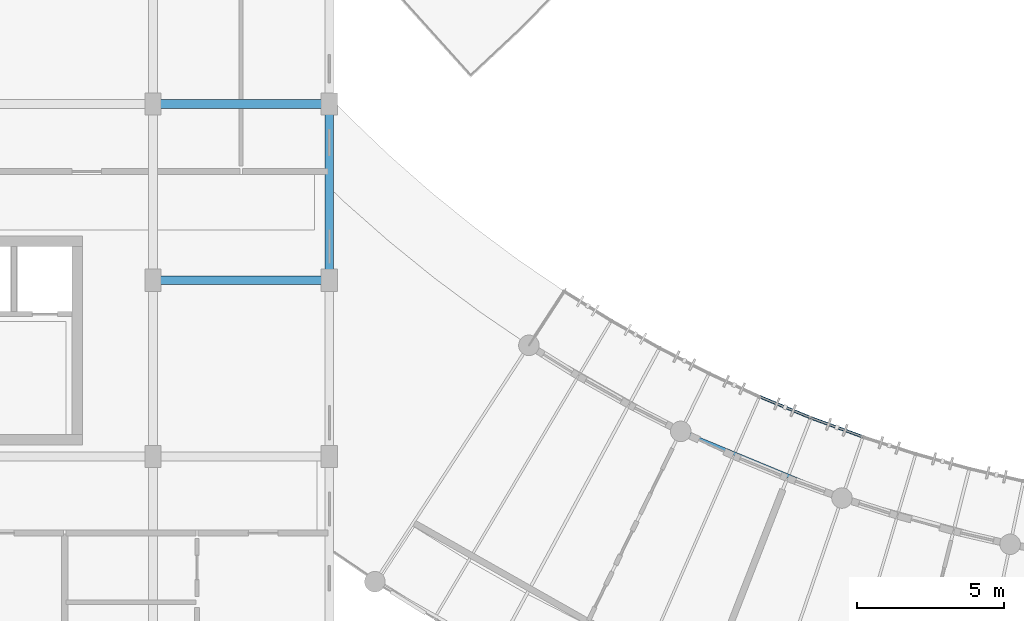
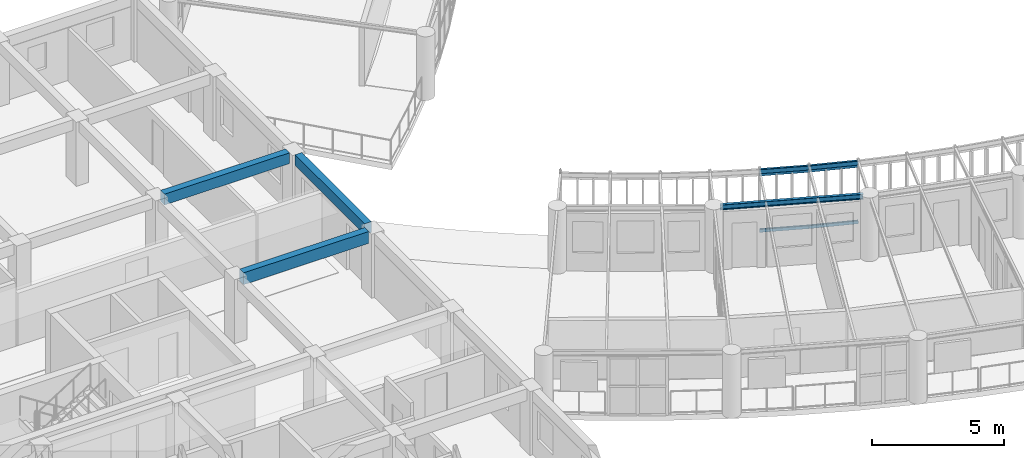
# One storey, part 7 of 123: 6 beams, 4 members.
"""IFC4 building model written with IfcOpenShell, lengths in metres."""

from ifc_helpers import new_model, si_unit, direction, frame, origin, origin_2d, place, context, subcontext, project, spatial, rectangle, hollow_rectangle, i_section, extrude, material, material_profile, profile_set, type_object, element, save


model = new_model("IFC4")

# Units and contexts
model_context = context("Model", 3, precision=1e-05, world=origin(), true_north=direction((0.0, 1.0)))
body_context = subcontext(model_context, "Body", "Model", "MODEL_VIEW")
ifc_project = project(units=[si_unit("LENGTHUNIT", "METRE"), si_unit("AREAUNIT", "SQUARE_METRE"), si_unit("VOLUMEUNIT", "CUBIC_METRE"), si_unit("PLANEANGLEUNIT", "RADIAN"), si_unit("MASSUNIT", "GRAM", prefix="KILO"), si_unit("POWERUNIT", "WATT"), si_unit("THERMODYNAMICTEMPERATUREUNIT", "KELVIN")], contexts=[model_context])

# Site, building, storey
site_placement = place(None, origin())
site = spatial("IfcSite", under=ifc_project, at=site_placement, CompositionType="ELEMENT")
building_placement = place(site_placement, origin())
building = spatial("IfcBuilding", under=site, at=building_placement, Name="Ruvembo Vaulted Housing Court", CompositionType="ELEMENT")
storey_placement = place(building_placement, frame((0.0, 0.0, 7.699951171875)))
storey = spatial("IfcBuildingStorey", under=building, at=storey_placement, Name="L02", CompositionType="ELEMENT", Elevation=7.699951171875)

# Beams
ifc_material_1 = material(Name="Concrete C35/45", Category="concrete")
ifc_material_profile_1 = material_profile(ifc_material_1, rectangle(XDim=0.300048828125, YDim=0.550048828125, at=origin_2d()), Name="RC 300x550")
ifc_profile_set_1 = profile_set([ifc_material_profile_1], Name="Concrete C35/45")
beam_type_1 = type_object("IfcBeamType", Name="BM-RC-300x550", PredefinedType="BEAM", material=ifc_profile_set_1)
beam_1_placement = place(storey_placement, frame((30.260009765625, 24.0, 2.679931640625), z_axis=(1.0, 0.0, 0.0), x_axis=(0.0, 1.0, 0.0)))
element("IfcBeam", 1, at=beam_1_placement, inside=storey, type_object=beam_type_1, Name="L02 Grid Beam X #1458", PredefinedType="BEAM", context=body_context, shape_type="SweptSolid", body=[
    extrude(rectangle(XDim=0.300048828125, YDim=0.550048828125, at=origin_2d()), origin(), (0.0, 0.0, 1.0), 5.47998046875),
])
ifc_material_2 = material(Name="Steel S355J2", Category="steel")
ifc_material_profile_2 = material_profile(ifc_material_2, i_section(OverallWidth=0.1201171875, OverallDepth=0.239990234375, WebThickness=0.006103515625, FlangeThickness=0.009765625, FilletRadius=0.014892578125, at=origin_2d()), Name="IPE 240")
ifc_profile_set_2 = profile_set([ifc_material_profile_2], Name="Steel S355J2")
beam_type_2 = type_object("IfcBeamType", Name="BM-ST-IPE240", PredefinedType="BEAM", material=ifc_profile_set_2)
beam_2_placement = place(storey_placement, frame((48.1708984375, 18.77001953125, 2.822021484375), z_axis=(0.924179679045, -0.381958009264, 0.0), x_axis=(0.381958009264, 0.924179679045, 0.0)))
element("IfcBeam", 2, at=beam_2_placement, inside=storey, type_object=beam_type_2, Name="Scoop SC2 L02 Chord Girder F3", PredefinedType="BEAM", context=body_context, shape_type="SweptSolid", body=[
    extrude(i_section(OverallWidth=0.1201171875, OverallDepth=0.239990234375, WebThickness=0.006103515625, FlangeThickness=0.009765625, FilletRadius=0.014892578125, at=origin_2d()), origin(), (0.0, 0.0, 1.0), 5.4765625),
])
ifc_material_profile_3 = material_profile(ifc_material_2, hollow_rectangle(XDim=0.10009765625, YDim=0.199951171875, WallThickness=0.008056640625, InnerFilletRadius=0.008056640625, OuterFilletRadius=0.01611328125, at=origin_2d()), Name="RHS 200x100x8")
ifc_profile_set_3 = profile_set([ifc_material_profile_3], Name="Steel S355J2")
beam_type_3 = type_object("IfcBeamType", Name="BM-ST-RHS200", PredefinedType="SPANDREL", material=ifc_profile_set_3)
beam_3_placement = place(storey_placement, frame((50.637451171875, 20.042236328125, 2.840087890625), z_axis=(0.924155321549, -0.38201693896, 0.0), x_axis=(0.38201693896, 0.924155321549, 0.0)))
element("IfcBeam", 3, at=beam_3_placement, inside=storey, type_object=beam_type_3, Name="Scoop SC2 L02 Balcony Edge Spandrel 4", PredefinedType="SPANDREL", context=body_context, shape_type="SweptSolid", body=[
    extrude(hollow_rectangle(XDim=0.10009765625, YDim=0.199951171875, WallThickness=0.008056640625, InnerFilletRadius=0.008056640625, OuterFilletRadius=0.01611328125, at=origin_2d()), origin(), (0.0, 0.0, 1.0), 1.88916015625),
])
beam_4_placement = place(storey_placement, frame((52.38330078125, 19.320556640625, 2.840087890625), z_axis=(0.939165556371, -0.343464783824, 0.0), x_axis=(0.343464783824, 0.939165556371, 0.0)))
element("IfcBeam", 4, at=beam_4_placement, inside=storey, type_object=beam_type_3, Name="Scoop SC2 L02 Balcony Edge Spandrel 5", PredefinedType="SPANDREL", context=body_context, shape_type="SweptSolid", body=[
    extrude(hollow_rectangle(XDim=0.10009765625, YDim=0.199951171875, WallThickness=0.008056640625, InnerFilletRadius=0.008056640625, OuterFilletRadius=0.01611328125, at=origin_2d()), origin(), (0.0, 0.0, 1.0), 1.889404296875),
])

# Members
ifc_material_profile_4 = material_profile(ifc_material_2, hollow_rectangle(XDim=0.06005859375, YDim=0.1201171875, WallThickness=0.0048828125, InnerFilletRadius=0.0048828125, OuterFilletRadius=0.010009765625, at=origin_2d()), Name="RHS 120x60x5")
ifc_profile_set_4 = profile_set([ifc_material_profile_4], Name="Steel S355J2")
member_type_1 = type_object("IfcMemberType", Name="MEM-CAR-RHS120", PredefinedType="CHORD", material=ifc_profile_set_4)
member_1_placement = place(storey_placement, frame((50.637451171875, 20.042236328125, 2.68310546875), z_axis=(0.924155321549, -0.38201693896, 0.0), x_axis=(0.38201693896, 0.924155321549, 0.0)))
element("IfcMember", 5, at=member_1_placement, inside=storey, type_object=member_type_1, Name="Scoop SC2 L02 Upper Louvre Carrier Rail 4", PredefinedType="CHORD", context=body_context, shape_type="SweptSolid", body=[
    extrude(hollow_rectangle(XDim=0.06005859375, YDim=0.1201171875, WallThickness=0.0048828125, InnerFilletRadius=0.0048828125, OuterFilletRadius=0.010009765625, at=origin_2d()), origin(), (0.0, 0.0, 1.0), 1.88916015625),
])
member_2_placement = place(storey_placement, frame((52.38330078125, 19.320556640625, 2.68310546875), z_axis=(0.939165556371, -0.343464783824, 0.0), x_axis=(0.343464783824, 0.939165556371, 0.0)))
element("IfcMember", 6, at=member_2_placement, inside=storey, type_object=member_type_1, Name="Scoop SC2 L02 Upper Louvre Carrier Rail 5", PredefinedType="CHORD", context=body_context, shape_type="SweptSolid", body=[
    extrude(hollow_rectangle(XDim=0.06005859375, YDim=0.1201171875, WallThickness=0.0048828125, InnerFilletRadius=0.0048828125, OuterFilletRadius=0.010009765625, at=origin_2d()), origin(), (0.0, 0.0, 1.0), 1.889404296875),
])
ifc_material_profile_5 = material_profile(ifc_material_2, hollow_rectangle(XDim=0.080078125, YDim=0.14990234375, WallThickness=0.00634765625, InnerFilletRadius=0.00634765625, OuterFilletRadius=0.0126953125, at=origin_2d()), Name="RHS 150x80x6.3")
ifc_profile_set_5 = profile_set([ifc_material_profile_5], Name="Steel S355J2")
member_type_2 = type_object("IfcMemberType", Name="MEM-CAR-RHS150", PredefinedType="CHORD", material=ifc_profile_set_5)
member_3_placement = place(storey_placement, frame((50.637451171875, 20.042236328125, 0.094970703125), z_axis=(0.924155321549, -0.38201693896, 0.0), x_axis=(0.38201693896, 0.924155321549, 0.0)))
element("IfcMember", 7, at=member_3_placement, inside=storey, type_object=member_type_2, Name="Scoop SC2 L02 Lower Louvre Carrier Rail 4", PredefinedType="CHORD", context=body_context, shape_type="SweptSolid", body=[
    extrude(hollow_rectangle(XDim=0.080078125, YDim=0.14990234375, WallThickness=0.00634765625, InnerFilletRadius=0.00634765625, OuterFilletRadius=0.0126953125, at=origin_2d()), origin(), (0.0, 0.0, 1.0), 1.88916015625),
])
member_4_placement = place(storey_placement, frame((52.38330078125, 19.320556640625, 0.094970703125), z_axis=(0.939165556371, -0.343464783824, 0.0), x_axis=(0.343464783824, 0.939165556371, 0.0)))
element("IfcMember", 8, at=member_4_placement, inside=storey, type_object=member_type_2, Name="Scoop SC2 L02 Lower Louvre Carrier Rail 5", PredefinedType="CHORD", context=body_context, shape_type="SweptSolid", body=[
    extrude(hollow_rectangle(XDim=0.080078125, YDim=0.14990234375, WallThickness=0.00634765625, InnerFilletRadius=0.00634765625, OuterFilletRadius=0.0126953125, at=origin_2d()), origin(), (0.0, 0.0, 1.0), 1.889404296875),
])

# Beams
ifc_material_profile_6 = material_profile(ifc_material_1, rectangle(XDim=0.300048828125, YDim=0.5, at=origin_2d()), Name="RC 300x500")
ifc_profile_set_6 = profile_set([ifc_material_profile_6], Name="Concrete C35/45")
beam_type_4 = type_object("IfcBeamType", Name="SP-RC-300x500", PredefinedType="SPANDREL", material=ifc_profile_set_6)
beam_5_placement = place(storey_placement, frame((30.260009765625, 30.0, 2.705078125), z_axis=(1.0, 0.0, 0.0), x_axis=(0.0, 1.0, 0.0)))
element("IfcBeam", 9, at=beam_5_placement, inside=storey, type_object=beam_type_4, Name="L02 Grid Beam X #1470", PredefinedType="SPANDREL", context=body_context, shape_type="SweptSolid", body=[
    extrude(rectangle(XDim=0.300048828125, YDim=0.5, at=origin_2d()), origin(), (0.0, 0.0, 1.0), 5.47998046875),
])
beam_6_placement = place(storey_placement, frame((36.0, 24.360107421875, 2.705078125), z_axis=(0.0, 1.0, 0.0), x_axis=(-1.0, 0.0, 0.0)))
element("IfcBeam", 10, at=beam_6_placement, inside=storey, type_object=beam_type_4, Name="L02 Grid Beam Y #1601", PredefinedType="SPANDREL", context=body_context, shape_type="SweptSolid", body=[
    extrude(rectangle(XDim=0.300048828125, YDim=0.5, at=origin_2d()), origin(), (0.0, 0.0, 1.0), 5.27978515625),
])

save(model, "model.ifc")
